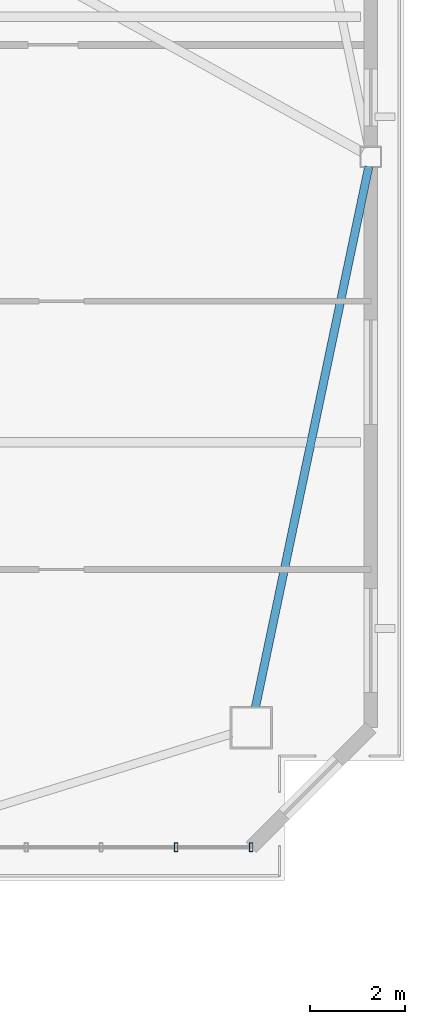
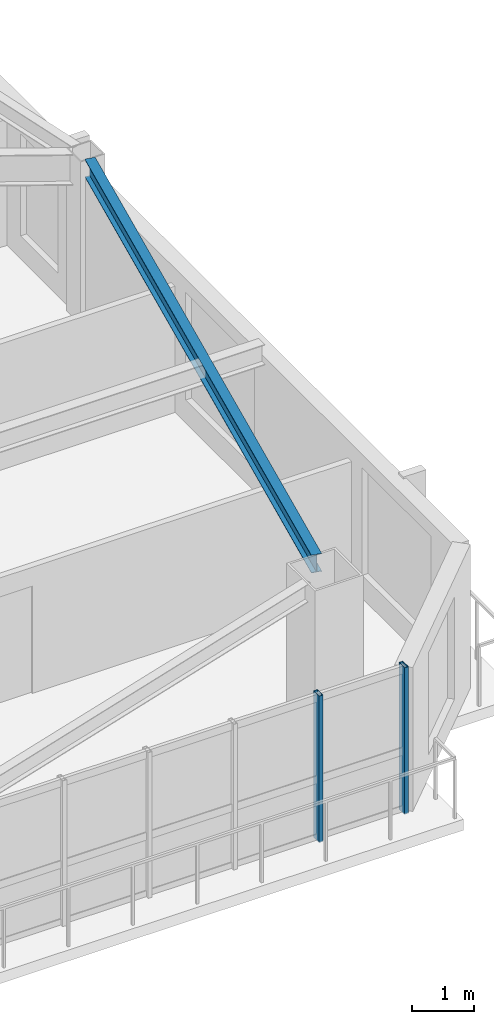
# One storey, part 6 of 17: 2 members, 1 beam, 1 element without a shape of its own.
"""IFC4 building model written with IfcOpenShell, lengths in metres."""

from ifc_helpers import new_model, si_unit, direction, frame, origin, origin_2d, place, context, subcontext, project, spatial, hollow_rectangle, i_section, extrude, source, transform, mapped, material, layer, layer_set, material_profile, profile_set, type_object, element, aggregate, save


model = new_model("IFC4")

# Units and contexts
model_context = context("Model", 3, precision=1e-05, world=origin(), true_north=direction((0.0, 1.0)))
body_context = subcontext(model_context, "Body", "Model", "MODEL_VIEW")
ifc_project = project(units=[si_unit("LENGTHUNIT", "METRE"), si_unit("AREAUNIT", "SQUARE_METRE"), si_unit("VOLUMEUNIT", "CUBIC_METRE"), si_unit("PLANEANGLEUNIT", "RADIAN"), si_unit("MASSUNIT", "GRAM", prefix="KILO")], contexts=[model_context])

# Site, building, storey
site_placement = place(None, origin())
site = spatial("IfcSite", under=ifc_project, at=site_placement, CompositionType="ELEMENT")
building_placement = place(site_placement, origin())
building = spatial("IfcBuilding", under=site, at=building_placement, Name="Giltprow Tower", CompositionType="ELEMENT")
storey_placement = place(building_placement, frame((0.0, 0.0, 268.89990234375)))
storey = spatial("IfcBuildingStorey", under=building, at=storey_placement, Name="L69", CompositionType="ELEMENT", Elevation=268.89990234375)

# Beam
ifc_material_1 = material(Name="Structural steel Q355B", Category="steel")
ifc_material_profile_1 = material_profile(ifc_material_1, i_section(OverallWidth=0.175048828125, OverallDepth=0.35009765625, WebThickness=0.007080078125, FlangeThickness=0.010986328125, at=origin_2d()), Name="HN 350x175x7x11")
ifc_profile_set_1 = profile_set([ifc_material_profile_1], Name="Structural steel Q355B")
beam_type = type_object("IfcBeamType", Name="BM-SPAN-HN350", PredefinedType="SPANDREL", material=ifc_profile_set_1)
shared_shape_1 = source(origin(), body_context, "Body", "SweptSolid", [
    extrude(i_section(OverallWidth=0.175048828125, OverallDepth=0.35009765625, WebThickness=0.007080078125, FlangeThickness=0.010986328125, at=origin_2d()), origin(), (0.0, 0.0, 1.0), 11.65478515625),
])
beam_placement = place(storey_placement, frame((58.77294921875, 19.925048828125, 3.010009765625), z_axis=(0.205159502565, 0.978728552004, 0.0), x_axis=(-0.978728552004, 0.205159502565, 0.0)))
element("IfcBeam", 1, at=beam_placement, inside=storey, type_object=beam_type, Name="L69 Perimeter Spandrel Beam MC_SE-E_MID", PredefinedType="SPANDREL", context=body_context, shape_type="MappedRepresentation", body=[
    mapped(shared_shape_1, transform((0.0, 0.0, 0.0), x_axis=(1.0, 0.0, 0.0), y_axis=(0.0, 1.0, 0.0), z_axis=(0.0, 0.0, 1.0), scale=1.0)),
])

# Curtain wall, members
ifc_material_2 = material(Name="Anodized bronze", Category="metal")
ifc_layer = layer(ifc_material_2, 0.179931640625, Name="Anodized bronze")
ifc_layer_set = layer_set([ifc_layer], Name="Anodized bronze")
curtain_wall_type = type_object("IfcCurtainWallType", Name="CW-RES-SKY", PredefinedType="NOTDEFINED", material=ifc_layer_set)
curtain_wall_placement = place(storey_placement, origin())
curtain_wall = element("IfcCurtainWall", 2, at=curtain_wall_placement, inside=storey, type_object=curtain_wall_type, Name="L69 South Recessed Curtain Wall 6", PredefinedType="NOTDEFINED")
ifc_material_profile_2 = material_profile(ifc_material_2, hollow_rectangle(XDim=0.074951171875, YDim=0.179931640625, WallThickness=0.008056640625, at=origin_2d()), Name="RHS 180x75x8")
ifc_profile_set_2 = profile_set([ifc_material_profile_2], Name="Anodized bronze")
member_type = type_object("IfcMemberType", Name="CW-MULLION-180x75", PredefinedType="MULLION", material=ifc_profile_set_2)
shared_shape_2 = source(origin(), body_context, "Body", "SweptSolid", [
    extrude(hollow_rectangle(XDim=0.074951171875, YDim=0.179931640625, WallThickness=0.008056640625, at=origin_2d()), origin(), (0.0, 0.0, 1.0), 2.8701171875),
])
member_1_placement = place(storey_placement, frame((57.10205078125, 16.97607421875, -0.02001953125), z_axis=(0.0, 0.0, 1.0), x_axis=(1.0, 0.0, 0.0)))
member_1 = element("IfcMember", 3, at=member_1_placement, type_object=member_type, Name="L69 South Recessed Curtain Wall 6 Mullion 5", PredefinedType="MULLION", context=body_context, shape_type="MappedRepresentation", body=[
    mapped(shared_shape_2, transform((0.0, 0.0, 0.0), x_axis=(1.0, 0.0, 0.0), y_axis=(0.0, 1.0, 0.0), z_axis=(0.0, 0.0, 1.0), scale=1.0)),
])
member_2_placement = place(storey_placement, frame((58.68408203125, 16.97607421875, -0.02001953125), z_axis=(0.0, 0.0, 1.0), x_axis=(1.0, 0.0, 0.0)))
member_2 = element("IfcMember", 4, at=member_2_placement, type_object=member_type, Name="L69 South Recessed Curtain Wall 6 Mullion 6", PredefinedType="MULLION", context=body_context, shape_type="MappedRepresentation", body=[
    mapped(shared_shape_2, transform((0.0, 0.0, 0.0), x_axis=(1.0, 0.0, 0.0), y_axis=(0.0, 1.0, 0.0), z_axis=(0.0, 0.0, 1.0), scale=1.0)),
])
aggregate(curtain_wall, [member_1, member_2])

save(model, "model.ifc")
